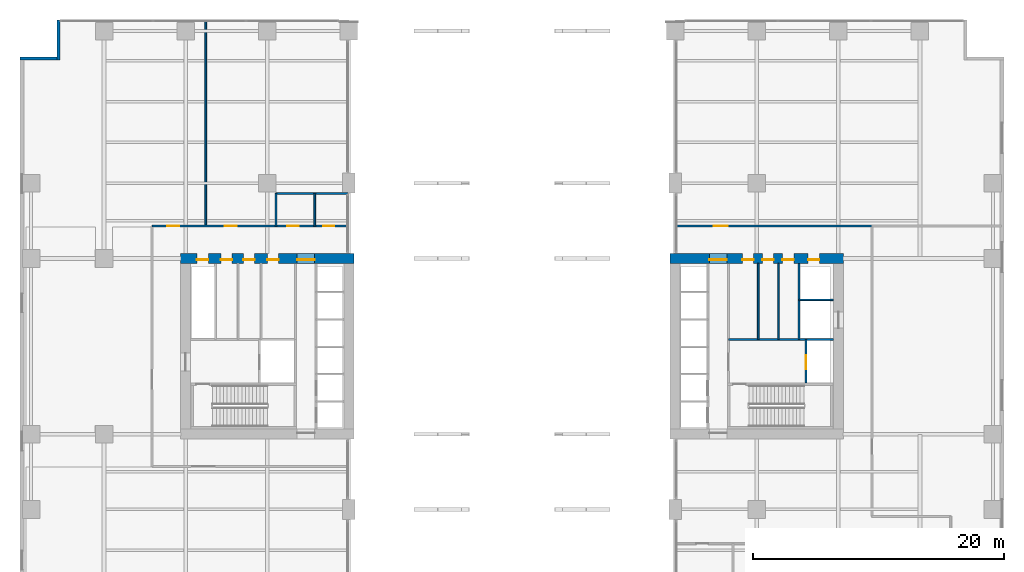
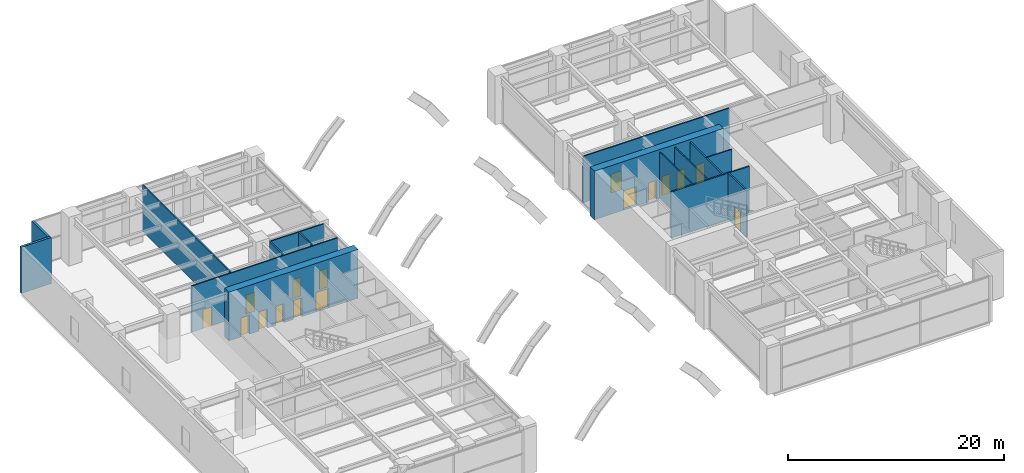
# One storey, part 12 of 18: 16 doors, 16 walls, 16 openings.
"""IFC4 building model written with IfcOpenShell, lengths in metres."""

from ifc_helpers import new_model, si_unit, direction, frame, frame_2d, origin, place, context, subcontext, project, spatial, rectangle, extrude, material, layer, layer_set, type_object, element, fill, save


model = new_model("IFC4")

# Units and contexts
model_context = context("Model", 3, precision=1e-05, world=origin(), true_north=direction((0.0, 1.0)))
body_context = subcontext(model_context, "Body", "Model", "MODEL_VIEW")
ifc_project = project(units=[si_unit("LENGTHUNIT", "METRE"), si_unit("AREAUNIT", "SQUARE_METRE"), si_unit("VOLUMEUNIT", "CUBIC_METRE"), si_unit("PLANEANGLEUNIT", "RADIAN"), si_unit("MASSUNIT", "GRAM", prefix="KILO")], contexts=[model_context])

# Site, building, storey
site_placement = place(None, origin())
site = spatial("IfcSite", under=ifc_project, at=site_placement, CompositionType="ELEMENT")
building_placement = place(site_placement, origin())
building = spatial("IfcBuilding", under=site, at=building_placement, Name="Putna Gate Headquarters", CompositionType="ELEMENT")
storey_placement = place(building_placement, frame((0.0, 0.0, 11.5)))
storey = spatial("IfcBuildingStorey", under=building, at=storey_placement, Name="L02", CompositionType="ELEMENT", Elevation=11.5)

# Wall, openings, doors
ifc_material_1 = material(Name="Concrete C60/75", Category="concrete")
ifc_layer_1 = layer(ifc_material_1, 0.800048828125)
ifc_layer_set_1 = layer_set([ifc_layer_1], Name="Concrete C60/75")
wall_type_1 = type_object("IfcWallType", Name="WALL-CORE-800", PredefinedType="SHEAR", material=ifc_layer_set_1)
wall_1_placement = place(storey_placement, frame((12.60009765625, 33.0, 0.0), z_axis=(0.0, 0.0, 1.0), x_axis=(1.0, 0.0, 0.0)))
wall_1 = element("IfcWall", 1, at=wall_1_placement, inside=storey, type_object=wall_type_1, Name="L02 WC Split Core Shear Wall N", PredefinedType="SHEAR", context=body_context, shape_type="SweptSolid", body=[
    extrude(rectangle(XDim=13.7998046875, YDim=0.800048828125, at=frame_2d((6.89990234375, 0.0))), origin(), (0.0, 0.0, 1.0), 5.5),
])
opening_1_placement = place(wall_1_placement, frame((1.300048828125, 0.0, 0.0)))
opening_1 = element("IfcOpeningElement", 2, at=opening_1_placement, cuts=wall_1, Name="Opening RD-90", PredefinedType="OPENING", context=body_context, shape_type="SweptSolid", body=[
    extrude(rectangle(XDim=0.89990234375, YDim=2.14990234375, at=frame_2d((0.449951171875, 1.074951171875))), frame((0.0, 0.409912109375, 0.0), z_axis=(0.0, -1.0, 0.0), x_axis=(1.0, 0.0, 0.0)), (0.0, 0.0, 1.0), 0.820068359375),
])
opening_2_placement = place(wall_1_placement, frame((3.199951171875, 0.0, 0.0)))
opening_2 = element("IfcOpeningElement", 3, at=opening_2_placement, cuts=wall_1, Name="Opening IDS-90", PredefinedType="OPENING", context=body_context, shape_type="SweptSolid", body=[
    extrude(rectangle(XDim=0.89990234375, YDim=2.14990234375, at=frame_2d((0.449951171875, 1.074951171875))), frame((0.0, 0.409912109375, 0.0), z_axis=(0.0, -1.0, 0.0), x_axis=(1.0, 0.0, 0.0)), (0.0, 0.0, 1.0), 0.820068359375),
])
opening_3_placement = place(wall_1_placement, frame((5.0, 0.0, 0.0)))
opening_3 = element("IfcOpeningElement", 4, at=opening_3_placement, cuts=wall_1, Name="Opening IDS-90", PredefinedType="OPENING", context=body_context, shape_type="SweptSolid", body=[
    extrude(rectangle(XDim=0.89990234375, YDim=2.14990234375, at=frame_2d((0.449951171875, 1.074951171875))), frame((0.0, 0.409912109375, 0.0), z_axis=(0.0, -1.0, 0.0), x_axis=(1.0, 0.0, 0.0)), (0.0, 0.0, 1.0), 0.820068359375),
])
opening_4_placement = place(wall_1_placement, frame((6.89990234375, 0.0, 0.0)))
opening_4 = element("IfcOpeningElement", 5, at=opening_4_placement, cuts=wall_1, Name="Opening IDS-90", PredefinedType="OPENING", context=body_context, shape_type="SweptSolid", body=[
    extrude(rectangle(XDim=0.89990234375, YDim=2.14990234375, at=frame_2d((0.449951171875, 1.074951171875))), frame((0.0, 0.409912109375, 0.0), z_axis=(0.0, -1.0, 0.0), x_axis=(1.0, 0.0, 0.0)), (0.0, 0.0, 1.0), 0.820068359375),
])
opening_5_placement = place(wall_1_placement, frame((9.280029296875, 0.0, 0.0)))
opening_5 = element("IfcOpeningElement", 6, at=opening_5_placement, cuts=wall_1, Name="Opening FDD-140", PredefinedType="OPENING", context=body_context, shape_type="SweptSolid", body=[
    extrude(rectangle(XDim=1.39990234375, YDim=2.199951171875, at=frame_2d((0.699951171875, 1.10009765625))), frame((0.0, 0.409912109375, 0.0), z_axis=(0.0, -1.0, 0.0), x_axis=(1.0, 0.0, 0.0)), (0.0, 0.0, 1.0), 0.820068359375),
])
ifc_material_2 = material(Name="Double steel fire door", Category="steel")
door_type_1 = type_object("IfcDoorType", Name="DOOR-FIRE-DBL-1400", OperationType="DOUBLE_DOOR_SINGLE_SWING", PredefinedType="DOOR", material=ifc_material_2)
door_1_placement = place(opening_5_placement, origin())
door_1 = element("IfcDoor", 7, at=door_1_placement, inside=storey, type_object=door_type_1, Name="L02 West Lift Lobby North Door", OperationType="DOUBLE_DOOR_SINGLE_SWING", OverallHeight=2.199951171875, OverallWidth=1.39990234375, PredefinedType="DOOR", context=body_context, shape_type="SweptSolid", body=[
    extrude(rectangle(XDim=1.39990234375, YDim=2.199951171875, at=frame_2d((0.699951171875, 1.10009765625))), frame((0.0, -0.0751953125, 0.0), z_axis=(0.0, -1.0, 0.0), x_axis=(1.0, 0.0, 0.0)), (0.0, 0.0, 1.0), 0.050048828125),
])
fill(opening_5, door_1)
ifc_material_3 = material(Name="Fire-rated utility door")
door_type_2 = type_object("IfcDoorType", Name="DOOR-INT-900", OperationType="NOTDEFINED", PredefinedType="DOOR", material=ifc_material_3)
door_2_placement = place(opening_2_placement, origin())
door_2 = element("IfcDoor", 8, at=door_2_placement, inside=storey, type_object=door_type_2, Name="L02 Janitor Cupboard Door", OperationType="SINGLE_SWING_LEFT", OverallHeight=2.14990234375, OverallWidth=0.89990234375, PredefinedType="DOOR", context=body_context, shape_type="SweptSolid", body=[
    extrude(rectangle(XDim=0.89990234375, YDim=2.14990234375, at=frame_2d((0.449951171875, 1.074951171875))), frame((0.0, -0.0751953125, 0.0), z_axis=(0.0, -1.0, 0.0), x_axis=(1.0, 0.0, 0.0)), (0.0, 0.0, 1.0), 0.050048828125),
])
fill(opening_2, door_2)
door_3_placement = place(opening_3_placement, origin())
door_3 = element("IfcDoor", 9, at=door_3_placement, inside=storey, type_object=door_type_2, Name="L02 IT Patch Plant Door", OperationType="SINGLE_SWING_RIGHT", OverallHeight=2.14990234375, OverallWidth=0.89990234375, PredefinedType="DOOR", context=body_context, shape_type="SweptSolid", body=[
    extrude(rectangle(XDim=0.89990234375, YDim=2.14990234375, at=frame_2d((0.449951171875, 1.074951171875))), frame((0.0, -0.0751953125, 0.0), z_axis=(0.0, -1.0, 0.0), x_axis=(1.0, 0.0, 0.0)), (0.0, 0.0, 1.0), 0.050048828125),
])
fill(opening_3, door_3)
door_4_placement = place(opening_4_placement, origin())
door_4 = element("IfcDoor", 10, at=door_4_placement, inside=storey, type_object=door_type_2, Name="L02 Building Records Store Door", OperationType="SINGLE_SWING_LEFT", OverallHeight=2.14990234375, OverallWidth=0.89990234375, PredefinedType="DOOR", context=body_context, shape_type="SweptSolid", body=[
    extrude(rectangle(XDim=0.89990234375, YDim=2.14990234375, at=frame_2d((0.449951171875, 1.074951171875))), frame((0.0, -0.0751953125, 0.0), z_axis=(0.0, -1.0, 0.0), x_axis=(1.0, 0.0, 0.0)), (0.0, 0.0, 1.0), 0.050048828125),
])
fill(opening_4, door_4)
ifc_material_4 = material(Name="Steel riser access fire door", Category="steel")
door_type_3 = type_object("IfcDoorType", Name="DOOR-RISER-900", OperationType="NOTDEFINED", PredefinedType="DOOR", material=ifc_material_4)
door_5_placement = place(opening_1_placement, origin())
door_5 = element("IfcDoor", 11, at=door_5_placement, inside=storey, type_object=door_type_3, Name="L02 West Riser Access Door", OperationType="SINGLE_SWING_RIGHT", OverallHeight=2.14990234375, OverallWidth=0.89990234375, PredefinedType="DOOR", context=body_context, shape_type="SweptSolid", body=[
    extrude(rectangle(XDim=0.89990234375, YDim=2.14990234375, at=frame_2d((0.449951171875, 1.074951171875))), frame((0.0, -0.0751953125, 0.0), z_axis=(0.0, -1.0, 0.0), x_axis=(1.0, 0.0, 0.0)), (0.0, 0.0, 1.0), 0.050048828125),
])
fill(opening_1, door_5)

wall_2_placement = place(storey_placement, frame((51.60009765625, 33.0, 0.0), z_axis=(0.0, 0.0, 1.0), x_axis=(1.0, 0.0, 0.0)))
wall_2 = element("IfcWall", 12, at=wall_2_placement, inside=storey, type_object=wall_type_1, Name="L02 EC Split Core Shear Wall N", PredefinedType="SHEAR", context=body_context, shape_type="SweptSolid", body=[
    extrude(rectangle(XDim=13.7998046875, YDim=0.800048828125, at=frame_2d((6.89990234375, 0.0))), origin(), (0.0, 0.0, 1.0), 5.5),
])
opening_6_placement = place(wall_2_placement, frame((3.1201171875, 0.0, 0.0)))
opening_6 = element("IfcOpeningElement", 13, at=opening_6_placement, cuts=wall_2, Name="Opening FDD-140", PredefinedType="OPENING", context=body_context, shape_type="SweptSolid", body=[
    extrude(rectangle(XDim=1.39990234375, YDim=2.199951171875, at=frame_2d((0.699951171875, 1.10009765625))), frame((0.0, 0.409912109375, 0.0), z_axis=(0.0, -1.0, 0.0), x_axis=(1.0, 0.0, 0.0)), (0.0, 0.0, 1.0), 0.820068359375),
])
opening_7_placement = place(wall_2_placement, frame((11.0, 0.0, 0.0)))
opening_7 = element("IfcOpeningElement", 14, at=opening_7_placement, cuts=wall_2, Name="Opening RD-90", PredefinedType="OPENING", context=body_context, shape_type="SweptSolid", body=[
    extrude(rectangle(XDim=0.89990234375, YDim=2.14990234375, at=frame_2d((0.449951171875, 1.074951171875))), frame((0.0, 0.409912109375, 0.0), z_axis=(0.0, -1.0, 0.0), x_axis=(1.0, 0.0, 0.0)), (0.0, 0.0, 1.0), 0.820068359375),
])
opening_8_placement = place(wall_2_placement, frame((5.75, 0.0, 0.0)))
opening_8 = element("IfcOpeningElement", 15, at=opening_8_placement, cuts=wall_2, Name="Opening IDS-90", PredefinedType="OPENING", context=body_context, shape_type="SweptSolid", body=[
    extrude(rectangle(XDim=0.89990234375, YDim=2.14990234375, at=frame_2d((0.449951171875, 1.074951171875))), frame((0.0, 0.409912109375, 0.0), z_axis=(0.0, -1.0, 0.0), x_axis=(1.0, 0.0, 0.0)), (0.0, 0.0, 1.0), 0.820068359375),
])
opening_9_placement = place(wall_2_placement, frame((7.35009765625, 0.0, 0.0)))
opening_9 = element("IfcOpeningElement", 16, at=opening_9_placement, cuts=wall_2, Name="Opening IDS-90", PredefinedType="OPENING", context=body_context, shape_type="SweptSolid", body=[
    extrude(rectangle(XDim=0.89990234375, YDim=2.14990234375, at=frame_2d((0.449951171875, 1.074951171875))), frame((0.0, 0.409912109375, 0.0), z_axis=(0.0, -1.0, 0.0), x_axis=(1.0, 0.0, 0.0)), (0.0, 0.0, 1.0), 0.820068359375),
])
opening_10_placement = place(wall_2_placement, frame((8.949951171875, 0.0, 0.0)))
opening_10 = element("IfcOpeningElement", 17, at=opening_10_placement, cuts=wall_2, Name="Opening IDS-90", PredefinedType="OPENING", context=body_context, shape_type="SweptSolid", body=[
    extrude(rectangle(XDim=0.89990234375, YDim=2.14990234375, at=frame_2d((0.449951171875, 1.074951171875))), frame((0.0, 0.409912109375, 0.0), z_axis=(0.0, -1.0, 0.0), x_axis=(1.0, 0.0, 0.0)), (0.0, 0.0, 1.0), 0.820068359375),
])
door_6_placement = place(opening_6_placement, origin())
door_6 = element("IfcDoor", 18, at=door_6_placement, inside=storey, type_object=door_type_1, Name="L02 East Lift Lobby North Door", OperationType="DOUBLE_DOOR_SINGLE_SWING", OverallHeight=2.199951171875, OverallWidth=1.39990234375, PredefinedType="DOOR", context=body_context, shape_type="SweptSolid", body=[
    extrude(rectangle(XDim=1.39990234375, YDim=2.199951171875, at=frame_2d((0.699951171875, 1.10009765625))), frame((0.0, -0.0751953125, 0.0), z_axis=(0.0, -1.0, 0.0), x_axis=(1.0, 0.0, 0.0)), (0.0, 0.0, 1.0), 0.050048828125),
])
fill(opening_6, door_6)
door_7_placement = place(opening_8_placement, origin())
door_7 = element("IfcDoor", 19, at=door_7_placement, inside=storey, type_object=door_type_2, Name="L02 East Cleaner Store Door", OperationType="SINGLE_SWING_RIGHT", OverallHeight=2.14990234375, OverallWidth=0.89990234375, PredefinedType="DOOR", context=body_context, shape_type="SweptSolid", body=[
    extrude(rectangle(XDim=0.89990234375, YDim=2.14990234375, at=frame_2d((0.449951171875, 1.074951171875))), frame((0.0, -0.0751953125, 0.0), z_axis=(0.0, -1.0, 0.0), x_axis=(1.0, 0.0, 0.0)), (0.0, 0.0, 1.0), 0.050048828125),
])
fill(opening_8, door_7)
door_8_placement = place(opening_9_placement, origin())
door_8 = element("IfcDoor", 20, at=door_8_placement, inside=storey, type_object=door_type_2, Name="L02 BMS Outstation Door", OperationType="SINGLE_SWING_LEFT", OverallHeight=2.14990234375, OverallWidth=0.89990234375, PredefinedType="DOOR", context=body_context, shape_type="SweptSolid", body=[
    extrude(rectangle(XDim=0.89990234375, YDim=2.14990234375, at=frame_2d((0.449951171875, 1.074951171875))), frame((0.0, -0.0751953125, 0.0), z_axis=(0.0, -1.0, 0.0), x_axis=(1.0, 0.0, 0.0)), (0.0, 0.0, 1.0), 0.050048828125),
])
fill(opening_9, door_8)
door_9_placement = place(opening_10_placement, origin())
door_9 = element("IfcDoor", 21, at=door_9_placement, inside=storey, type_object=door_type_2, Name="L02 Facilities Equipment Store Door", OperationType="SINGLE_SWING_RIGHT", OverallHeight=2.14990234375, OverallWidth=0.89990234375, PredefinedType="DOOR", context=body_context, shape_type="SweptSolid", body=[
    extrude(rectangle(XDim=0.89990234375, YDim=2.14990234375, at=frame_2d((0.449951171875, 1.074951171875))), frame((0.0, -0.0751953125, 0.0), z_axis=(0.0, -1.0, 0.0), x_axis=(1.0, 0.0, 0.0)), (0.0, 0.0, 1.0), 0.050048828125),
])
fill(opening_10, door_9)
door_10_placement = place(opening_7_placement, origin())
door_10 = element("IfcDoor", 22, at=door_10_placement, inside=storey, type_object=door_type_3, Name="L02 East Riser Access Door", OperationType="SINGLE_SWING_LEFT", OverallHeight=2.14990234375, OverallWidth=0.89990234375, PredefinedType="DOOR", context=body_context, shape_type="SweptSolid", body=[
    extrude(rectangle(XDim=0.89990234375, YDim=2.14990234375, at=frame_2d((0.449951171875, 1.074951171875))), frame((0.0, -0.0751953125, 0.0), z_axis=(0.0, -1.0, 0.0), x_axis=(1.0, 0.0, 0.0)), (0.0, 0.0, 1.0), 0.050048828125),
])
fill(opening_7, door_10)

# Walls
ifc_material_5 = material(Name="Precast concrete C40/50", Category="concrete")
ifc_layer_2 = layer(ifc_material_5, 0.239990234375)
ifc_layer_set_2 = layer_set([ifc_layer_2], Name="Precast concrete C40/50")
wall_type_2 = type_object("IfcWallType", Name="WALL-EXT-TERR-240", PredefinedType="STANDARD", material=ifc_layer_set_2)
for number, where, z_axis, x_axis, name in (
    (23, (2.8798828125, 48.800048828125, 0.0), (0.0, 0.0, 1.0), (0.0, 1.0, 0.0), "L02 Corner Notch Return Wall NW-V"),
    (24, (-0.199951171875, 48.919921875, 0.0), (0.0, 0.0, 1.0), (1.0, 0.0, 0.0), "L02 Corner Notch Return Wall NW-H"),
):
    element("IfcWall", number, at=place(storey_placement, frame(where, z_axis=z_axis, x_axis=x_axis)), inside=storey, type_object=wall_type_2, Name=name, PredefinedType="STANDARD", context=body_context, shape_type="SweptSolid", body=[
        extrude(rectangle(XDim=3.199951171875, YDim=0.239990234375, at=frame_2d((1.60009765625, 0.0))), origin(), (0.0, 0.0, 1.0), 5.219970703125),
    ])
ifc_material_6 = material(Name="Fire-rated shaftwall gypsum board on metal stud")
ifc_layer_3 = layer(ifc_material_6, 0.1201171875)
ifc_layer_set_3 = layer_set([ifc_layer_3], Name="Fire-rated shaftwall gypsum board on metal stud")
wall_type_3 = type_object("IfcWallType", Name="WALL-PART-120-EI120", PredefinedType="PARTITIONING", material=ifc_layer_set_3)
wall_3_placement = place(storey_placement, frame((61.8701171875, 29.699951171875, 0.0), z_axis=(0.0, 0.0, 1.0), x_axis=(1.0, 0.0, 0.0)))
element("IfcWall", 25, at=wall_3_placement, inside=storey, type_object=wall_type_3, Name="L02 Interior Wall CWINT-L02-EC-LF15-N", PredefinedType="PARTITIONING", context=body_context, shape_type="SweptSolid", body=[
    extrude(rectangle(XDim=2.72998046875, YDim=0.1201171875, at=frame_2d((1.364990234375, 0.0))), origin(), (0.0, 0.0, 1.0), 5.219970703125),
])
ifc_material_7 = material(Name="Fire-rated gypsum board on metal stud")
ifc_layer_4 = layer(ifc_material_7, 0.1201171875)
ifc_layer_set_4 = layer_set([ifc_layer_4], Name="Fire-rated gypsum board on metal stud")
wall_type_4 = type_object("IfcWallType", Name="WALL-PART-120-RATED", PredefinedType="PARTITIONING", material=ifc_layer_set_4)
for number, where, z_axis, x_axis, name in (
    (26, (58.6201171875, 26.56005859375, 0.0), (0.0, 0.0, 1.0), (0.0, 1.0, 0.0), "L02 Interior Wall CWINT-L02-EC-K2-D1"),
    (27, (60.219970703125, 26.56005859375, 0.0), (0.0, 0.0, 1.0), (0.0, 1.0, 0.0), "L02 Interior Wall CWINT-L02-EC-K2-D2"),
):
    element("IfcWall", number, at=place(storey_placement, frame(where, z_axis=z_axis, x_axis=x_axis)), inside=storey, type_object=wall_type_4, Name=name, PredefinedType="PARTITIONING", context=body_context, shape_type="SweptSolid", body=[
        extrude(rectangle(XDim=6.0400390625, YDim=0.1201171875, at=frame_2d((3.02001953125, 0.0))), origin(), (0.0, 0.0, 1.0), 5.219970703125),
    ])
ifc_layer_5 = layer(ifc_material_7, 0.139892578125)
ifc_layer_set_5 = layer_set([ifc_layer_5], Name="Fire-rated gypsum board on metal stud")
wall_type_5 = type_object("IfcWallType", Name="WALL-PART-140", PredefinedType="PARTITIONING", material=ifc_layer_set_5)
for number, where, z_axis, x_axis, name in (
    (28, (20.199951171875, 35.580078125, 0.0), (0.0, 0.0, 1.0), (0.0, 1.0, 0.0), "L02 Interior Wall PART-L02-PODWC-W"),
    (29, (23.2900390625, 35.580078125, 0.0), (0.0, 0.0, 1.0), (0.0, 1.0, 0.0), "L02 Interior Wall PART-L02-PODWC-M"),
):
    element("IfcWall", number, at=place(storey_placement, frame(where, z_axis=z_axis, x_axis=x_axis)), inside=storey, type_object=wall_type_5, Name=name, PredefinedType="PARTITIONING", context=body_context, shape_type="SweptSolid", body=[
        extrude(rectangle(XDim=2.599853515625, YDim=0.139892578125, at=frame_2d((1.2998046875, 0.0))), origin(), (0.0, 0.0, 1.0), 5.219970703125),
    ])
wall_4_placement = place(storey_placement, frame((20.199951171875, 38.179931640625, 0.0), z_axis=(0.0, 0.0, 1.0), x_axis=(1.0, 0.0, 0.0)))
element("IfcWall", 30, at=wall_4_placement, inside=storey, type_object=wall_type_5, Name="L02 Interior Wall PART-L02-PODWC-N", PredefinedType="PARTITIONING", context=body_context, shape_type="SweptSolid", body=[
    extrude(rectangle(XDim=5.719970703125, YDim=0.139892578125, at=frame_2d((2.85986328125, 0.0))), origin(), (0.0, 0.0, 1.0), 5.219970703125),
])

# Wall, openings, doors
wall_5_placement = place(storey_placement, frame((10.320068359375, 35.580078125, 0.0), z_axis=(0.0, 0.0, 1.0), x_axis=(1.0, 0.0, 0.0)))
wall_5 = element("IfcWall", 31, at=wall_5_placement, inside=storey, type_object=wall_type_5, Name="L02 Interior Wall PART-L02-WN-CW", PredefinedType="PARTITIONING", context=body_context, shape_type="SweptSolid", body=[
    extrude(rectangle(XDim=15.599853515625, YDim=0.139892578125, at=frame_2d((7.7998046875, 0.0))), origin(), (0.0, 0.0, 1.0), 5.219970703125),
])
opening_11_placement = place(wall_5_placement, frame((10.780029296875, 0.0, 0.0)))
opening_11 = element("IfcOpeningElement", 32, at=opening_11_placement, cuts=wall_5, Name="Opening IDS-90", PredefinedType="OPENING", context=body_context, shape_type="SweptSolid", body=[
    extrude(rectangle(XDim=0.89990234375, YDim=2.14990234375, at=frame_2d((0.449951171875, 1.074951171875))), frame((0.0, 0.079833984375, 0.0), z_axis=(0.0, -1.0, 0.0), x_axis=(1.0, 0.0, 0.0)), (0.0, 0.0, 1.0), 0.159912109375),
])
opening_12_placement = place(wall_5_placement, frame((13.6298828125, 0.0, 0.0)))
opening_12 = element("IfcOpeningElement", 33, at=opening_12_placement, cuts=wall_5, Name="Opening IDS-90", PredefinedType="OPENING", context=body_context, shape_type="SweptSolid", body=[
    extrude(rectangle(XDim=0.89990234375, YDim=2.14990234375, at=frame_2d((0.449951171875, 1.074951171875))), frame((0.0, 0.079833984375, 0.0), z_axis=(0.0, -1.0, 0.0), x_axis=(1.0, 0.0, 0.0)), (0.0, 0.0, 1.0), 0.159912109375),
])
opening_13_placement = place(wall_5_placement, frame((1.199951171875, 0.0, 0.0)))
opening_13 = element("IfcOpeningElement", 34, at=opening_13_placement, cuts=wall_5, Name="Opening IDS-95", PredefinedType="OPENING", context=body_context, shape_type="SweptSolid", body=[
    extrude(rectangle(XDim=0.949951171875, YDim=2.14990234375, at=frame_2d((0.47509765625, 1.074951171875))), frame((0.0, 0.079833984375, 0.0), z_axis=(0.0, -1.0, 0.0), x_axis=(1.0, 0.0, 0.0)), (0.0, 0.0, 1.0), 0.159912109375),
])
opening_14_placement = place(wall_5_placement, frame((5.800048828125, 0.0, 0.0)))
opening_14 = element("IfcOpeningElement", 35, at=opening_14_placement, cuts=wall_5, Name="Opening IDS-95", PredefinedType="OPENING", context=body_context, shape_type="SweptSolid", body=[
    extrude(rectangle(XDim=0.949951171875, YDim=2.14990234375, at=frame_2d((0.47509765625, 1.074951171875))), frame((0.0, 0.079833984375, 0.0), z_axis=(0.0, -1.0, 0.0), x_axis=(1.0, 0.0, 0.0)), (0.0, 0.0, 1.0), 0.159912109375),
])
door_11_placement = place(opening_11_placement, origin())
door_11 = element("IfcDoor", 36, at=door_11_placement, inside=storey, type_object=door_type_2, Name="L02 Washroom Door", OperationType="SINGLE_SWING_LEFT", OverallHeight=2.14990234375, OverallWidth=0.89990234375, PredefinedType="DOOR", context=body_context, shape_type="SweptSolid", body=[
    extrude(rectangle(XDim=0.89990234375, YDim=2.14990234375, at=frame_2d((0.449951171875, 1.074951171875))), frame((0.0, 0.02490234375, 0.0), z_axis=(0.0, -1.0, 0.0), x_axis=(1.0, 0.0, 0.0)), (0.0, 0.0, 1.0), 0.050048828125),
])
fill(opening_11, door_11)
door_12_placement = place(opening_12_placement, origin())
door_12 = element("IfcDoor", 37, at=door_12_placement, inside=storey, type_object=door_type_2, Name="L02 Accessible WC Door", OperationType="SINGLE_SWING_LEFT", OverallHeight=2.14990234375, OverallWidth=0.89990234375, PredefinedType="DOOR", context=body_context, shape_type="SweptSolid", body=[
    extrude(rectangle(XDim=0.89990234375, YDim=2.14990234375, at=frame_2d((0.449951171875, 1.074951171875))), frame((0.0, 0.02490234375, 0.0), z_axis=(0.0, -1.0, 0.0), x_axis=(1.0, 0.0, 0.0)), (0.0, 0.0, 1.0), 0.050048828125),
])
fill(opening_12, door_12)
ifc_material_8 = material(Name="Fire-rated service timber door", Category="wood")
door_type_4 = type_object("IfcDoorType", Name="DOOR-INT-950", OperationType="NOTDEFINED", PredefinedType="DOOR", material=ifc_material_8)
door_13_placement = place(opening_13_placement, origin())
door_13 = element("IfcDoor", 38, at=door_13_placement, inside=storey, type_object=door_type_4, Name="L02 Broadcast Studio Door", OperationType="SINGLE_SWING_LEFT", OverallHeight=2.14990234375, OverallWidth=0.949951171875, PredefinedType="DOOR", context=body_context, shape_type="SweptSolid", body=[
    extrude(rectangle(XDim=0.949951171875, YDim=2.14990234375, at=frame_2d((0.47509765625, 1.074951171875))), frame((0.0, 0.02490234375, 0.0), z_axis=(0.0, -1.0, 0.0), x_axis=(1.0, 0.0, 0.0)), (0.0, 0.0, 1.0), 0.050048828125),
])
fill(opening_13, door_13)
door_14_placement = place(opening_14_placement, origin())
door_14 = element("IfcDoor", 39, at=door_14_placement, inside=storey, type_object=door_type_4, Name="L02 Green Lounge Door", OperationType="SINGLE_SWING_LEFT", OverallHeight=2.14990234375, OverallWidth=0.949951171875, PredefinedType="DOOR", context=body_context, shape_type="SweptSolid", body=[
    extrude(rectangle(XDim=0.949951171875, YDim=2.14990234375, at=frame_2d((0.47509765625, 1.074951171875))), frame((0.0, 0.02490234375, 0.0), z_axis=(0.0, -1.0, 0.0), x_axis=(1.0, 0.0, 0.0)), (0.0, 0.0, 1.0), 0.050048828125),
])
fill(opening_14, door_14)

# Wall
wall_6_placement = place(storey_placement, frame((14.60009765625, 35.580078125, 0.0), z_axis=(0.0, 0.0, 1.0), x_axis=(0.0, 1.0, 0.0)))
element("IfcWall", 40, at=wall_6_placement, inside=storey, type_object=wall_type_5, Name="L02 Interior Wall PART-L02-NW1", PredefinedType="PARTITIONING", context=body_context, shape_type="SweptSolid", body=[
    extrude(rectangle(XDim=16.35986328125, YDim=0.139892578125, at=frame_2d((8.179931640625, 0.0))), origin(), (0.0, 0.0, 1.0), 5.219970703125),
])

# Wall, opening, door
wall_7_placement = place(storey_placement, frame((52.080078125, 35.580078125, 0.0), z_axis=(0.0, 0.0, 1.0), x_axis=(1.0, 0.0, 0.0)))
wall_7 = element("IfcWall", 41, at=wall_7_placement, inside=storey, type_object=wall_type_5, Name="L02 Interior Wall PART-L02-ETR", PredefinedType="PARTITIONING", context=body_context, shape_type="SweptSolid", body=[
    extrude(rectangle(XDim=15.599853515625, YDim=0.139892578125, at=frame_2d((7.7998046875, 0.0))), origin(), (0.0, 0.0, 1.0), 5.219970703125),
])
opening_15_placement = place(wall_7_placement, frame((3.0, 0.0, 0.0)))
opening_15 = element("IfcOpeningElement", 42, at=opening_15_placement, cuts=wall_7, Name="Opening IDS-110", PredefinedType="OPENING", context=body_context, shape_type="SweptSolid", body=[
    extrude(rectangle(XDim=1.10009765625, YDim=2.14990234375, at=frame_2d((0.550048828125, 1.074951171875))), frame((0.0, 0.079833984375, 0.0), z_axis=(0.0, -1.0, 0.0), x_axis=(1.0, 0.0, 0.0)), (0.0, 0.0, 1.0), 0.159912109375),
])
ifc_material_9 = material(Name="Fire-rated meeting room door")
door_type_5 = type_object("IfcDoorType", Name="DOOR-INT-1100", OperationType="NOTDEFINED", PredefinedType="DOOR", material=ifc_material_9)
door_15_placement = place(opening_15_placement, origin())
door_15 = element("IfcDoor", 43, at=door_15_placement, inside=storey, type_object=door_type_5, Name="L02 Academy Workplace Door", OperationType="SINGLE_SWING_LEFT", OverallHeight=2.14990234375, OverallWidth=1.10009765625, PredefinedType="DOOR", context=body_context, shape_type="SweptSolid", body=[
    extrude(rectangle(XDim=1.10009765625, YDim=2.14990234375, at=frame_2d((0.550048828125, 1.074951171875))), frame((0.0, 0.02490234375, 0.0), z_axis=(0.0, -1.0, 0.0), x_axis=(1.0, 0.0, 0.0)), (0.0, 0.0, 1.0), 0.050048828125),
])
fill(opening_15, door_15)

ifc_material_10 = material(Name="Concrete C40/50", Category="concrete")
ifc_layer_6 = layer(ifc_material_10, 0.159912109375)
ifc_layer_set_6 = layer_set([ifc_layer_6], Name="Concrete C40/50")
wall_type_6 = type_object("IfcWallType", Name="WALL-SHAFT-160", PredefinedType="STANDARD", material=ifc_layer_set_6)
wall_8_placement = place(storey_placement, frame((62.429931640625, 23.090087890625, 0.0), z_axis=(0.0, 0.0, 1.0), x_axis=(0.0, 1.0, 0.0)))
wall_8 = element("IfcWall", 44, at=wall_8_placement, inside=storey, type_object=wall_type_6, Name="L02 Interior Wall CWINT-L02-EC-LF14-W", PredefinedType="STANDARD", context=body_context, shape_type="SweptSolid", body=[
    extrude(rectangle(XDim=3.469970703125, YDim=0.159912109375, at=frame_2d((1.73486328125, 0.0))), origin(), (0.0, 0.0, 1.0), 5.219970703125),
])
opening_16_placement = place(wall_8_placement, frame((1.10009765625, 0.0, 0.0)))
opening_16 = element("IfcOpeningElement", 45, at=opening_16_placement, cuts=wall_8, Name="Opening LD-1", PredefinedType="OPENING", context=body_context, shape_type="SweptSolid", body=[
    extrude(rectangle(XDim=1.10009765625, YDim=2.199951171875, at=frame_2d((0.550048828125, 1.10009765625))), frame((0.0, 0.08984375, 0.0), z_axis=(0.0, -1.0, 0.0), x_axis=(1.0, 0.0, 0.0)), (0.0, 0.0, 1.0), 0.179931640625),
])
ifc_material_11 = material(Name="Brushed bronze stainless lift landing door")
door_type_6 = type_object("IfcDoorType", Name="DOOR-LIFT-1100", OperationType="DOUBLE_DOOR_SLIDING", PredefinedType="DOOR", material=ifc_material_11)
door_16_placement = place(opening_16_placement, origin())
door_16 = element("IfcDoor", 46, at=door_16_placement, inside=storey, type_object=door_type_6, Name="L02 Lift Landing Door LD-14", OperationType="DOUBLE_DOOR_SLIDING", OverallHeight=2.199951171875, OverallWidth=1.10009765625, PredefinedType="DOOR", context=body_context, shape_type="SweptSolid", body=[
    extrude(rectangle(XDim=1.10009765625, YDim=2.199951171875, at=frame_2d((0.550048828125, 1.10009765625))), frame((0.0, 0.02490234375, 0.0), z_axis=(0.0, -1.0, 0.0), x_axis=(1.0, 0.0, 0.0)), (0.0, 0.0, 1.0), 0.050048828125),
])
fill(opening_16, door_16)

# Walls
wall_9_placement = place(storey_placement, frame((56.260009765625, 26.56005859375, 0.0), z_axis=(0.0, 0.0, 1.0), x_axis=(1.0, 0.0, 0.0)))
element("IfcWall", 47, at=wall_9_placement, inside=storey, type_object=wall_type_6, Name="L02 Interior Wall CWINT-L02-EC-FFL-N", PredefinedType="STANDARD", context=body_context, shape_type="SweptSolid", body=[
    extrude(rectangle(XDim=8.340087890625, YDim=0.159912109375, at=frame_2d((4.169921875, 0.0))), origin(), (0.0, 0.0, 1.0), 5.219970703125),
])
wall_10_placement = place(storey_placement, frame((61.8701171875, 26.56005859375, 0.0), z_axis=(0.0, 0.0, 1.0), x_axis=(0.0, 1.0, 0.0)))
element("IfcWall", 48, at=wall_10_placement, inside=storey, type_object=wall_type_6, Name="L02 Interior Wall CWINT-L02-EC-LF15-W", PredefinedType="STANDARD", context=body_context, shape_type="SweptSolid", body=[
    extrude(rectangle(XDim=6.0400390625, YDim=0.159912109375, at=frame_2d((3.02001953125, 0.0))), origin(), (0.0, 0.0, 1.0), 5.219970703125),
])

save(model, "model.ifc")
